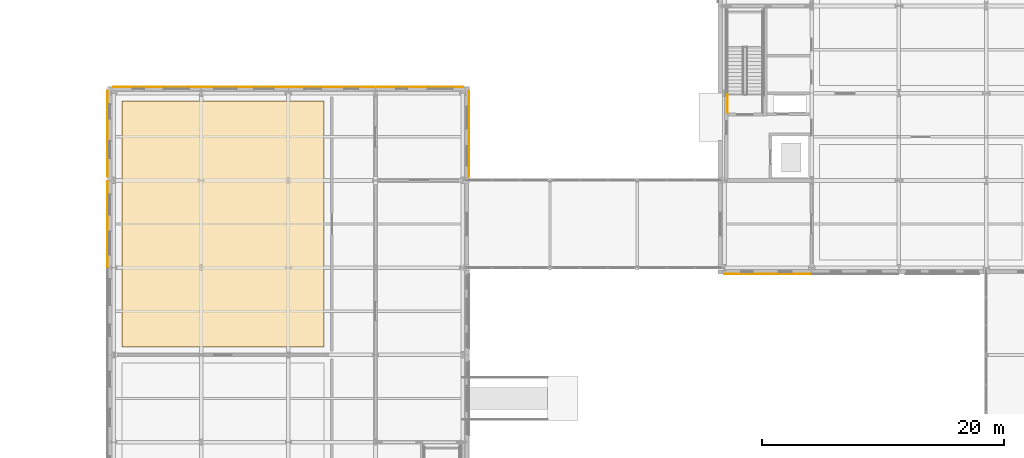
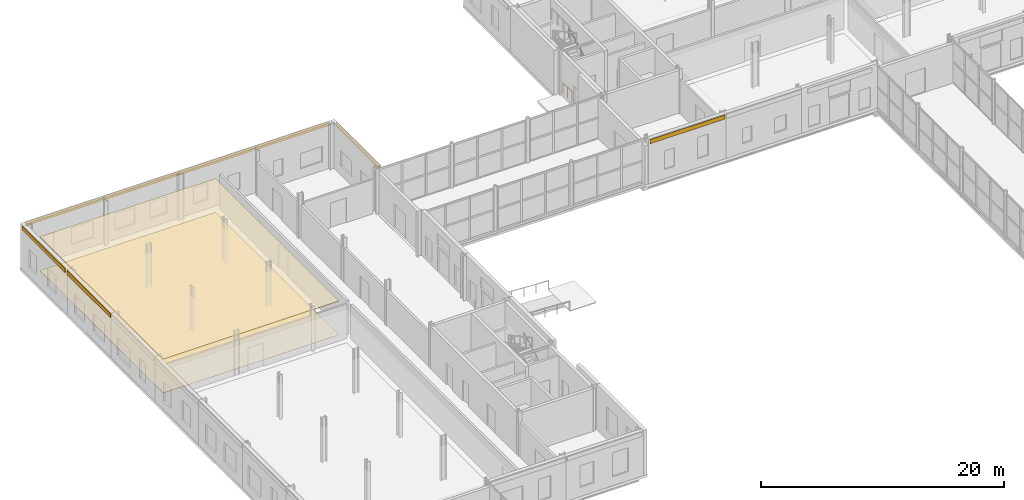
# One storey, part 81 of 92: 10 coverings, 1 railing.
"""IFC4 building model written with IfcOpenShell, lengths in metres."""

from ifc_helpers import new_model, si_unit, direction, frame, origin, origin_2d, place, context, subcontext, project, spatial, polyline, rectangle, circle, outline, extrude, material, layer, layer_set, type_object, element, save


model = new_model("IFC4")

# Units and contexts
model_context = context("Model", 3, precision=1e-05, world=origin(), true_north=direction((0.0, 1.0)))
body_context = subcontext(model_context, "Body", "Model", "MODEL_VIEW")
ifc_project = project(units=[si_unit("LENGTHUNIT", "METRE"), si_unit("AREAUNIT", "SQUARE_METRE"), si_unit("VOLUMEUNIT", "CUBIC_METRE"), si_unit("PLANEANGLEUNIT", "RADIAN"), si_unit("MASSUNIT", "GRAM", prefix="KILO")], contexts=[model_context])

# Site, building, storey
site_placement = place(None, origin())
site = spatial("IfcSite", under=ifc_project, at=site_placement, CompositionType="ELEMENT")
building_placement = place(site_placement, origin())
building = spatial("IfcBuilding", under=site, at=building_placement, Name="Zlatovets Crest Museum", CompositionType="ELEMENT")
storey_placement = place(building_placement, origin())
storey = spatial("IfcBuildingStorey", under=building, at=storey_placement, Name="L00", CompositionType="ELEMENT", Elevation=0.0)

# Coverings
ifc_material_1 = material(Name="Micro-perforated gypsum acoustic gallery ceiling")
ifc_layer_1 = layer(ifc_material_1, 0.050048828125)
ifc_layer_set_1 = layer_set([ifc_layer_1], Name="Micro-perforated gypsum acoustic gallery ceiling")
covering_type_1 = type_object("IfcCoveringType", Name="GalleryCeiling_CLG1", PredefinedType="CEILING", material=ifc_layer_set_1)
covering_1_placement = place(storey_placement, frame((0.0, 0.0, 3.389892578125)))
element("IfcCovering", 1, at=covering_1_placement, inside=storey, type_object=covering_type_1, Name="Danube Ecology Exhibition Gallery Acoustic Ceiling", PredefinedType="CEILING", context=body_context, shape_type="SweptSolid", body=[
    extrude(outline(polyline([(7.85009765625, 79.85009765625), (24.550048828125, 79.85009765625), (24.550048828125, 100.14990234375), (7.85009765625, 100.14990234375), (7.85009765625, 79.85009765625)])), origin(), (0.0, 0.0, 1.0), 0.050048828125),
])
ifc_material_2 = material(Name="Quarter-sawn European oak herringbone gallery parquet")
ifc_layer_2 = layer(ifc_material_2, 0.030029296875)
ifc_layer_set_2 = layer_set([ifc_layer_2], Name="Quarter-sawn European oak herringbone gallery parquet")
covering_type_2 = type_object("IfcCoveringType", Name="GalleryFloor_FLR1", PredefinedType="FLOORING", material=ifc_layer_set_2)
covering_2_placement = place(storey_placement, origin())
element("IfcCovering", 2, at=covering_2_placement, inside=storey, type_object=covering_type_2, Name="Danube Ecology Exhibition Gallery Floor Finish", PredefinedType="FLOORING", context=body_context, shape_type="SweptSolid", body=[
    extrude(outline(polyline([(7.85009765625, 79.85009765625), (24.550048828125, 79.85009765625), (24.550048828125, 100.14990234375), (7.85009765625, 100.14990234375), (7.85009765625, 79.85009765625)])), origin(), (0.0, 0.0, 1.0), 0.030029296875),
])
ifc_material_3 = material(Name="Polychrome turquoise-gold glazed majolica ceramic frieze")
ifc_layer_3 = layer(ifc_material_3, 0.0400390625)
ifc_layer_set_3 = layer_set([ifc_layer_3], Name="Polychrome turquoise-gold glazed majolica ceramic frieze")
covering_type_3 = type_object("IfcCoveringType", Name="MajolicaFrieze_CL01", PredefinedType="CLADDING", material=ifc_layer_set_3)
for number, where, z_axis, x_axis, name in (
    (3, (61.117431640625, 85.8701171875, 4.010009765625), (0.0, 0.0, 1.0), (1.0, 0.0, 0.0), "Sofia Secession Majolica Plinth Frieze"),
    (4, (36.530029296875, 97.45751953125, 4.010009765625), (0.0, 0.0, 1.0), (0.0, 1.0, 0.0), "Sofia Secession Majolica Plinth Frieze"),
    (5, (32.482421875, 101.330078125, 4.010009765625), (0.0, 0.0, 1.0), (1.0, 0.0, 0.0), "Sofia Secession Majolica Plinth Frieze"),
    (6, (25.199951171875, 101.330078125, 4.010009765625), (0.0, 0.0, 1.0), (1.0, 0.0, 0.0), "Sofia Secession Majolica Plinth Frieze"),
    (7, (18.0, 101.330078125, 4.010009765625), (0.0, 0.0, 1.0), (1.0, 0.0, 0.0), "Sofia Secession Majolica Plinth Frieze"),
    (8, (10.717529296875, 101.330078125, 4.010009765625), (0.0, 0.0, 1.0), (1.0, 0.0, 0.0), "Sofia Secession Majolica Plinth Frieze"),
    (9, (6.669921875, 97.45751953125, 4.010009765625), (0.0, 0.0, 1.0), (0.0, 1.0, 0.0), "Sofia Secession Majolica Plinth Frieze"),
    (10, (6.669921875, 90.0, 4.010009765625), (0.0, 0.0, 1.0), (0.0, 1.0, 0.0), "Sofia Secession Majolica Plinth Frieze"),
):
    element("IfcCovering", number, at=place(storey_placement, frame(where, z_axis=z_axis, x_axis=x_axis)), inside=storey, type_object=covering_type_3, Name=name, PredefinedType="CLADDING", context=body_context, shape_type="SweptSolid", body=[
        extrude(rectangle(XDim=7.10009765625, YDim=0.0400390625, at=origin_2d()), origin(), (0.0, 0.0, 1.0), 0.419921875),
    ])

# Railing
ifc_material_4 = material(Name="Painted steel safety guardrail", Category="steel")
railing_type = type_object("IfcRailingType", Name="StairGuard_SG01", PredefinedType="GUARDRAIL", material=ifc_material_4)
railing_placement = place(storey_placement, frame((57.85009765625, 99.199951171875, 0.0)))
element("IfcRailing", 11, at=railing_placement, inside=storey, type_object=railing_type, Name="L00 ST1 stair guard 8", PredefinedType="GUARDRAIL", context=body_context, shape_type="SweptSolid", body=[
    extrude(circle(Radius=0.02392578125, at=origin_2d()), frame((0.0, 0.0, 1.076171875), z_axis=(0.0, 1.0, 0.0), x_axis=(-1.0, 0.0, 0.0)), (0.0, 0.0, 1.0), 1.5),
    extrude(circle(Radius=0.02099609375, at=origin_2d()), origin(), (0.0, 0.0, 1.0), 1.052001953125),
    extrude(circle(Radius=0.02099609375, at=origin_2d()), frame((0.0, 0.75, 0.0)), (0.0, 0.0, 1.0), 1.052001953125),
    extrude(circle(Radius=0.02099609375, at=origin_2d()), frame((0.0, 1.5, 0.0)), (0.0, 0.0, 1.0), 1.052001953125),
])

save(model, "model.ifc")
